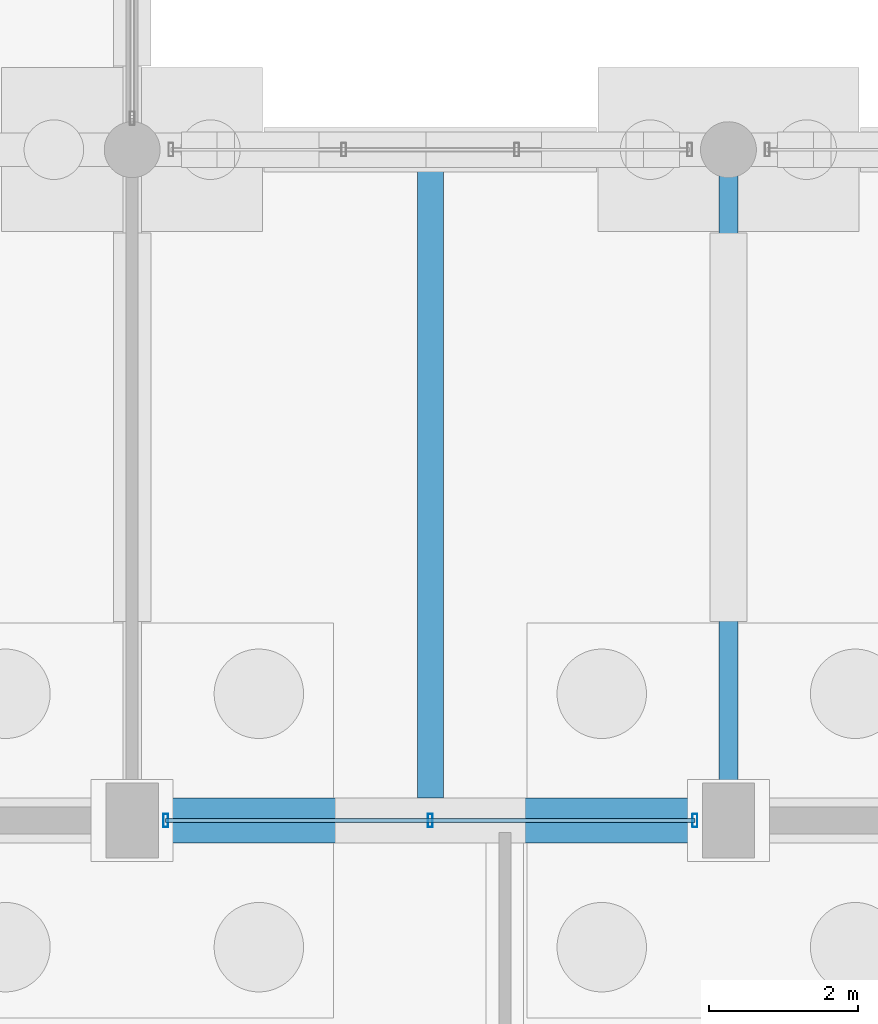
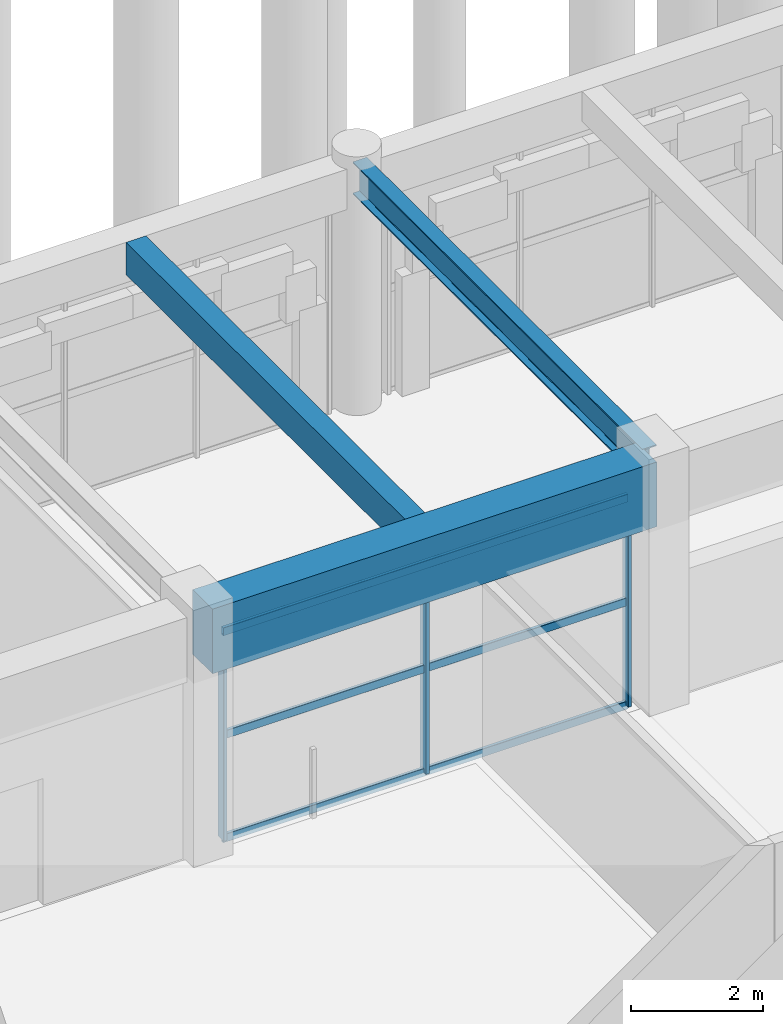
# One storey, part 56 of 147: 6 members, 3 beams, 1 element without a shape of its own.
"""IFC4 building model written with IfcOpenShell, lengths in metres."""

from ifc_helpers import new_model, si_unit, direction, frame, origin, origin_2d, place, context, subcontext, project, spatial, rectangle, hollow_rectangle, i_section, extrude, material, material_profile, profile_set, type_object, element, aggregate, save


model = new_model("IFC4")

# Units and contexts
model_context = context("Model", 3, precision=1e-05, world=origin(), true_north=direction((0.0, 1.0)))
body_context = subcontext(model_context, "Body", "Model", "MODEL_VIEW")
ifc_project = project(units=[si_unit("LENGTHUNIT", "METRE"), si_unit("AREAUNIT", "SQUARE_METRE"), si_unit("VOLUMEUNIT", "CUBIC_METRE"), si_unit("PLANEANGLEUNIT", "RADIAN"), si_unit("MASSUNIT", "GRAM", prefix="KILO")], contexts=[model_context])

# Site, building, storey
site_placement = place(None, origin())
site = spatial("IfcSite", under=ifc_project, at=site_placement, CompositionType="ELEMENT")
building_placement = place(site_placement, origin())
building = spatial("IfcBuilding", under=site, at=building_placement, Name="Varnabhumi Central Station", CompositionType="ELEMENT")
storey_placement = place(building_placement, origin())
storey = spatial("IfcBuildingStorey", under=building, at=storey_placement, Name="L00", CompositionType="ELEMENT", Elevation=0.0)

# Beams
ifc_material_1 = material(Name="Concrete M50", Category="concrete")
ifc_material_profile_1 = material_profile(ifc_material_1, rectangle(XDim=0.60009765625, YDim=1.199951171875, at=origin_2d()), Name="Concrete M50", Category="concrete")
ifc_profile_set_1 = profile_set([ifc_material_profile_1], Name="Concrete M50")
beam_type_1 = type_object("IfcBeamType", Name="BM-RC-1200x600", PredefinedType="BEAM", material=ifc_profile_set_1)
beam_1_placement = place(storey_placement, frame((48.10009765625, 80.0, 3.949951171875), z_axis=(1.0, 0.0, 0.0), x_axis=(0.0, 1.0, 0.0)))
element("IfcBeam", 1, at=beam_1_placement, inside=storey, type_object=beam_type_1, Name="Beam L00-K:7-8", PredefinedType="BEAM", context=body_context, shape_type="SweptSolid", body=[
    extrude(rectangle(XDim=0.60009765625, YDim=1.199951171875, at=origin_2d()), origin(), (0.0, 0.0, 1.0), 7.7998046875),
])
ifc_material_2 = material(Name="Concrete M40", Category="concrete")
ifc_material_profile_2 = material_profile(ifc_material_2, rectangle(XDim=0.35009765625, YDim=0.60009765625, at=origin_2d()), Name="Concrete M40", Category="concrete")
ifc_profile_set_2 = profile_set([ifc_material_profile_2], Name="Concrete M40")
beam_type_2 = type_object("IfcBeamType", Name="BM-RC-600x350", PredefinedType="JOIST", material=ifc_profile_set_2)
beam_2_placement = place(storey_placement, frame((52.0, 80.300048828125, 4.25), z_axis=(0.0, 1.0, 0.0), x_axis=(-1.0, 0.0, 0.0)))
element("IfcBeam", 2, at=beam_2_placement, inside=storey, type_object=beam_type_2, Name="Secondary Joist L00-7/8:K-L", PredefinedType="JOIST", context=body_context, shape_type="SweptSolid", body=[
    extrude(rectangle(XDim=0.35009765625, YDim=0.60009765625, at=origin_2d()), origin(), (0.0, 0.0, 1.0), 8.474853515625),
])
ifc_material_3 = material(Name="Structural steel E350", Category="steel")
ifc_material_profile_3 = material_profile(ifc_material_3, i_section(OverallWidth=0.25, OverallDepth=0.60009765625, WebThickness=0.01171875, FlangeThickness=0.023681640625, FilletRadius=0.01708984375, at=origin_2d()), Name="Structural steel E350", Category="steel")
ifc_profile_set_3 = profile_set([ifc_material_profile_3], Name="Structural steel E350")
beam_type_3 = type_object("IfcBeamType", Name="BM-SEC-ISWB600", PredefinedType="BEAM", material=ifc_profile_set_3)
beam_3_placement = place(storey_placement, frame((56.0, 80.10009765625, 4.25), z_axis=(0.0, 1.0, 0.0), x_axis=(-1.0, 0.0, 0.0)))
element("IfcBeam", 3, at=beam_3_placement, inside=storey, type_object=beam_type_3, Name="Beam L00-8:K-L", PredefinedType="BEAM", context=body_context, shape_type="SweptSolid", body=[
    extrude(i_section(OverallWidth=0.25, OverallDepth=0.60009765625, WebThickness=0.01171875, FlangeThickness=0.023681640625, FilletRadius=0.01708984375, at=origin_2d()), origin(), (0.0, 0.0, 1.0), 8.7998046875),
])

# Curtain wall, members
ifc_material_4 = material(Name="Anodised aluminium 6063-T6", Category="aluminium")
curtain_wall_type = type_object("IfcCurtainWallType", Name="CW-SPINE-SCREEN-L0", PredefinedType="NOTDEFINED", material=ifc_material_4)
curtain_wall_placement = place(storey_placement, origin())
curtain_wall = element("IfcCurtainWall", 4, at=curtain_wall_placement, inside=storey, type_object=curtain_wall_type, Name="Curtain Wall CW-NS006", PredefinedType="NOTDEFINED")
ifc_material_profile_4 = material_profile(ifc_material_4, hollow_rectangle(XDim=0.06494140625, YDim=0.179931640625, WallThickness=0.00390625, InnerFilletRadius=0.001953125, OuterFilletRadius=0.006103515625, at=origin_2d()), Name="Anodised aluminium 6063-T6", Category="aluminium")
ifc_profile_set_4 = profile_set([ifc_material_profile_4], Name="Anodised aluminium 6063-T6")
member_type_1 = type_object("IfcMemberType", Name="CW-MUL-180", PredefinedType="MULLION", material=ifc_profile_set_4)
member_1_placement = place(storey_placement, frame((48.449951171875, 80.0, 0.0), z_axis=(0.0, 0.0, 1.0), x_axis=(1.0, 0.0, 0.0)))
member_1 = element("IfcMember", 5, at=member_1_placement, type_object=member_type_1, Name="Curtain Wall Mullion CW-NS006-M1", PredefinedType="MULLION", context=body_context, shape_type="SweptSolid", body=[
    extrude(hollow_rectangle(XDim=0.06494140625, YDim=0.179931640625, WallThickness=0.00390625, InnerFilletRadius=0.001953125, OuterFilletRadius=0.006103515625, at=origin_2d()), origin(), (0.0, 0.0, 1.0), 3.840087890625),
])
member_2_placement = place(storey_placement, frame((52.0, 80.0, 0.0), z_axis=(0.0, 0.0, 1.0), x_axis=(1.0, 0.0, 0.0)))
member_2 = element("IfcMember", 6, at=member_2_placement, type_object=member_type_1, Name="Curtain Wall Mullion CW-NS006-M2", PredefinedType="MULLION", context=body_context, shape_type="SweptSolid", body=[
    extrude(hollow_rectangle(XDim=0.06494140625, YDim=0.179931640625, WallThickness=0.00390625, InnerFilletRadius=0.001953125, OuterFilletRadius=0.006103515625, at=origin_2d()), origin(), (0.0, 0.0, 1.0), 3.840087890625),
])
member_3_placement = place(storey_placement, frame((55.550048828125, 80.0, 0.0), z_axis=(0.0, 0.0, 1.0), x_axis=(1.0, 0.0, 0.0)))
member_3 = element("IfcMember", 7, at=member_3_placement, type_object=member_type_1, Name="Curtain Wall Mullion CW-NS006-M3", PredefinedType="MULLION", context=body_context, shape_type="SweptSolid", body=[
    extrude(hollow_rectangle(XDim=0.06494140625, YDim=0.179931640625, WallThickness=0.00390625, InnerFilletRadius=0.001953125, OuterFilletRadius=0.006103515625, at=origin_2d()), origin(), (0.0, 0.0, 1.0), 3.840087890625),
])
ifc_material_profile_5 = material_profile(ifc_material_4, hollow_rectangle(XDim=0.06005859375, YDim=0.14990234375, WallThickness=0.00390625, InnerFilletRadius=0.001953125, OuterFilletRadius=0.006103515625, at=origin_2d()), Name="Anodised aluminium 6063-T6", Category="aluminium")
ifc_profile_set_5 = profile_set([ifc_material_profile_5], Name="Anodised aluminium 6063-T6")
member_type_2 = type_object("IfcMemberType", Name="CW-TR-150", PredefinedType="USERDEFINED", material=ifc_profile_set_5)
member_4_placement = place(storey_placement, frame((48.449951171875, 80.0, 0.0), z_axis=(1.0, 0.0, 0.0), x_axis=(0.0, 1.0, 0.0)))
member_4 = element("IfcMember", 8, at=member_4_placement, type_object=member_type_2, Name="Curtain Wall Transom CW-NS006-T1", ObjectType="TRANSOM", PredefinedType="USERDEFINED", context=body_context, shape_type="SweptSolid", body=[
    extrude(hollow_rectangle(XDim=0.06005859375, YDim=0.14990234375, WallThickness=0.00390625, InnerFilletRadius=0.001953125, OuterFilletRadius=0.006103515625, at=origin_2d()), origin(), (0.0, 0.0, 1.0), 7.10009765625),
])
member_5_placement = place(storey_placement, frame((48.449951171875, 80.0, 1.919921875), z_axis=(1.0, 0.0, 0.0), x_axis=(0.0, 1.0, 0.0)))
member_5 = element("IfcMember", 9, at=member_5_placement, type_object=member_type_2, Name="Curtain Wall Transom CW-NS006-T2", ObjectType="TRANSOM", PredefinedType="USERDEFINED", context=body_context, shape_type="SweptSolid", body=[
    extrude(hollow_rectangle(XDim=0.06005859375, YDim=0.14990234375, WallThickness=0.00390625, InnerFilletRadius=0.001953125, OuterFilletRadius=0.006103515625, at=origin_2d()), origin(), (0.0, 0.0, 1.0), 7.10009765625),
])
member_6_placement = place(storey_placement, frame((48.449951171875, 80.0, 3.840087890625), z_axis=(1.0, 0.0, 0.0), x_axis=(0.0, 1.0, 0.0)))
member_6 = element("IfcMember", 10, at=member_6_placement, type_object=member_type_2, Name="Curtain Wall Transom CW-NS006-T3", ObjectType="TRANSOM", PredefinedType="USERDEFINED", context=body_context, shape_type="SweptSolid", body=[
    extrude(hollow_rectangle(XDim=0.06005859375, YDim=0.14990234375, WallThickness=0.00390625, InnerFilletRadius=0.001953125, OuterFilletRadius=0.006103515625, at=origin_2d()), origin(), (0.0, 0.0, 1.0), 7.10009765625),
])
aggregate(curtain_wall, [member_1, member_2, member_3, member_4, member_5, member_6])

save(model, "model.ifc")
